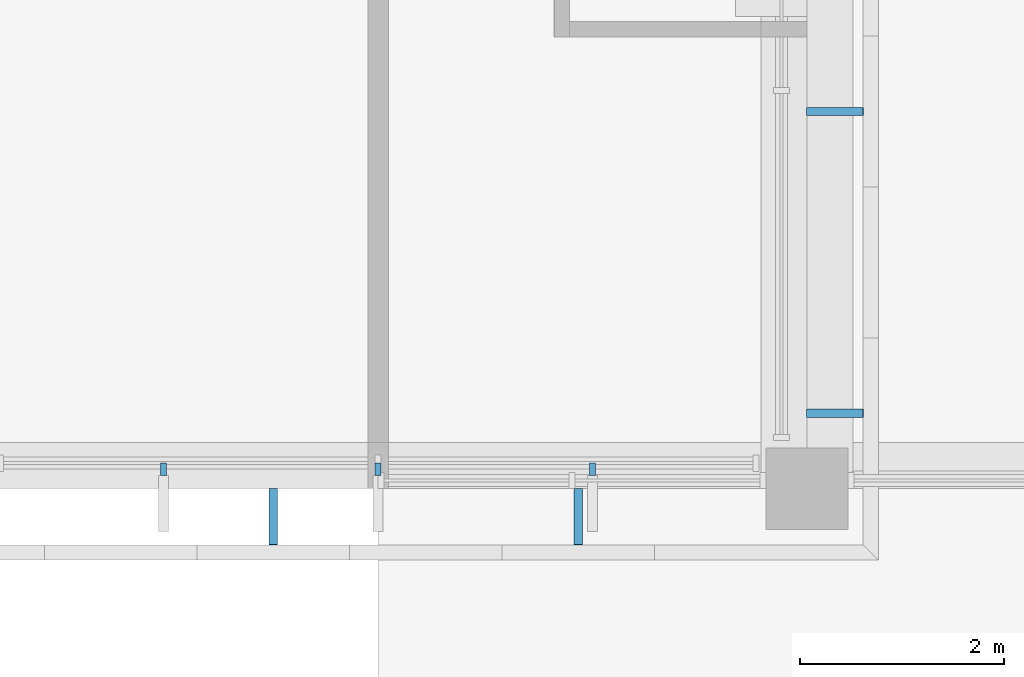
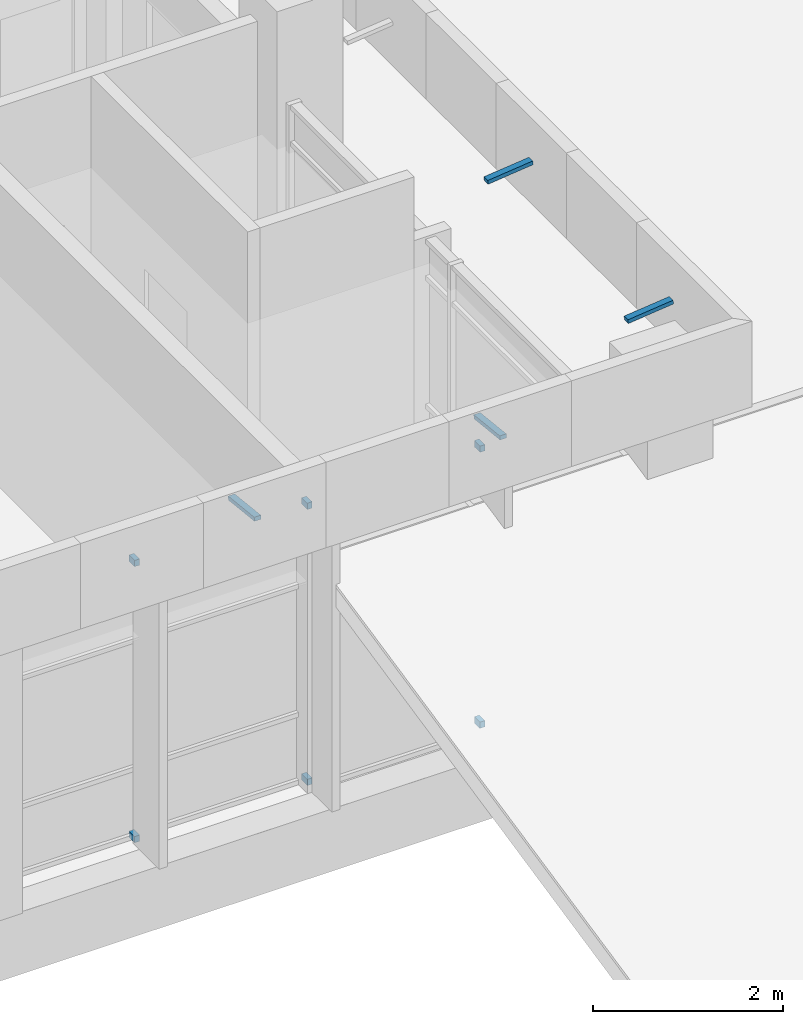
# One storey, part 105 of 137: 10 discrete accessories.
"""IFC4 building model written with IfcOpenShell, lengths in metres."""

from ifc_helpers import new_model, si_unit, direction, frame, origin, origin_2d, place, context, subcontext, project, spatial, rectangle, extrude, material, material_profile, profile_set, type_object, element, save


model = new_model("IFC4")

# Units and contexts
model_context = context("Model", 3, precision=1e-05, world=origin(), true_north=direction((0.0, 1.0)))
body_context = subcontext(model_context, "Body", "Model", "MODEL_VIEW")
ifc_project = project(units=[si_unit("LENGTHUNIT", "METRE"), si_unit("AREAUNIT", "SQUARE_METRE"), si_unit("VOLUMEUNIT", "CUBIC_METRE"), si_unit("PLANEANGLEUNIT", "RADIAN"), si_unit("MASSUNIT", "GRAM", prefix="KILO")], contexts=[model_context])

# Site, building, storey
site_placement = place(None, origin())
site = spatial("IfcSite", under=ifc_project, at=site_placement, CompositionType="ELEMENT")
building_placement = place(site_placement, origin())
building = spatial("IfcBuilding", under=site, at=building_placement, Name="Bougainvillea Quay General Hospital", CompositionType="ELEMENT")
storey_placement = place(building_placement, frame((0.0, 0.0, 16.800048828125)))
storey = spatial("IfcBuildingStorey", under=building, at=storey_placement, Name="L03", CompositionType="ELEMENT", Elevation=16.800048828125)

# Discrete accessories
ifc_material = material(Name="Stainless steel bracket, grade 316", Category="steel")
discrete_accessory_type_1 = type_object("IfcDiscreteAccessoryType", Name="Stainless steel fin arm 60x80", PredefinedType="BRACKET", material=ifc_material)
for number, where, z_axis, x_axis, name in (
    (1, (165.89990234375, 117.7900390625, 0.0), (0.0, 0.0, 1.0), (0.0, -1.0, 0.0), "Fin arm V5B L03 14.1B"),
    (2, (165.89990234375, 117.7900390625, 3.5498046875), (0.0, 0.0, 1.0), (0.0, -1.0, 0.0), "Fin arm V5B L03 14.1T"),
    (3, (163.800048828125, 117.7900390625, 0.0), (0.0, 0.0, 1.0), (0.0, -1.0, 0.0), "Fin arm V5B L03 14.2B"),
    (4, (163.800048828125, 117.7900390625, 3.5498046875), (0.0, 0.0, 1.0), (0.0, -1.0, 0.0), "Fin arm V5B L03 14.2T"),
    (5, (161.699951171875, 117.7900390625, 0.0), (0.0, 0.0, 1.0), (0.0, -1.0, 0.0), "Fin arm V5B L03 14.3B"),
    (6, (161.699951171875, 117.7900390625, 3.5498046875), (0.0, 0.0, 1.0), (0.0, -1.0, 0.0), "Fin arm V5B L03 14.3T"),
):
    element("IfcDiscreteAccessory", number, at=place(storey_placement, frame(where, z_axis=z_axis, x_axis=x_axis)), inside=storey, type_object=discrete_accessory_type_1, Name=name, PredefinedType="BRACKET", context=body_context, shape_type="SweptSolid", body=[
        extrude(rectangle(XDim=0.1201171875, YDim=0.06005859375, at=origin_2d()), origin(), (0.0, 0.0, 1.0), 0.080078125),
    ])
ifc_material_profile = material_profile(ifc_material, rectangle(XDim=0.080078125, YDim=0.050048828125, at=origin_2d()))
ifc_profile_set = profile_set([ifc_material_profile], Name="Stainless steel bracket, grade 316")
discrete_accessory_type_2 = type_object("IfcDiscreteAccessoryType", Name="Stainless steel stand-off bracket 80x50", PredefinedType="BRACKET", material=ifc_profile_set)
for number, where, z_axis, x_axis, name in (
    (7, (162.7734375, 117.60009765625, 4.139892578125), (0.0, -0.994091793559, 0.108542645901), (1.0, 0.0, 0.0), "Fascia bracket e1 67"),
    (8, (165.760009765625, 117.60009765625, 4.139892578125), (0.0, -0.994091793559, 0.108542645901), (1.0, 0.0, 0.0), "Fascia bracket e1 69"),
    (9, (168.0, 118.33837890625, 4.139892578125), (0.994091793559, 0.0, 0.108542645901), (0.0, 1.0, 0.0), "Fascia bracket e1 71"),
    (10, (168.0, 121.292236328125, 4.139892578125), (0.994091793559, 0.0, 0.108542645901), (0.0, 1.0, 0.0), "Fascia bracket e1 73"),
):
    element("IfcDiscreteAccessory", number, at=place(storey_placement, frame(where, z_axis=z_axis, x_axis=x_axis)), inside=storey, type_object=discrete_accessory_type_2, Name=name, PredefinedType="BRACKET", context=body_context, shape_type="SweptSolid", body=[
        extrude(rectangle(XDim=0.080078125, YDim=0.050048828125, at=origin_2d()), origin(), (0.0, 0.0, 1.0), 0.55322265625),
    ])

save(model, "model.ifc")
